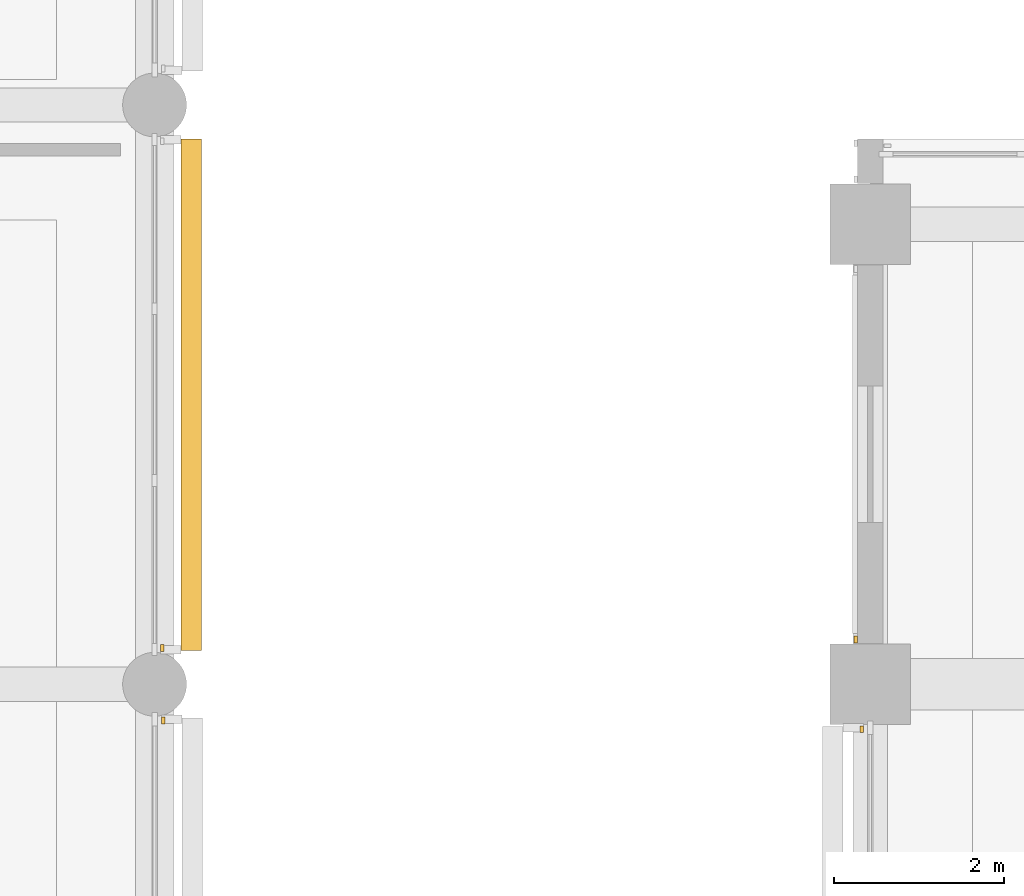
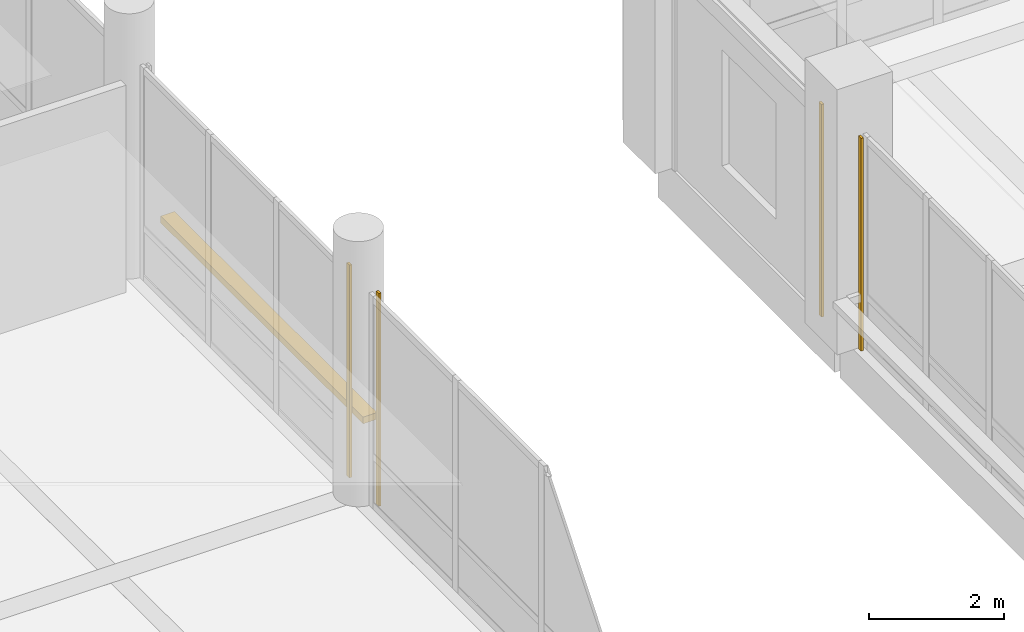
# One storey, part 104 of 122: 4 coverings, 1 shading device.
"""IFC4 building model written with IfcOpenShell, lengths in metres."""

from ifc_helpers import new_model, si_unit, direction, frame, origin, origin_2d, place, context, subcontext, project, spatial, rectangle, extrude, material, layer, layer_set, type_object, element, save


model = new_model("IFC4")

# Units and contexts
model_context = context("Model", 3, precision=1e-05, world=origin(), true_north=direction((0.0, 1.0)))
body_context = subcontext(model_context, "Body", "Model", "MODEL_VIEW")
ifc_project = project(units=[si_unit("LENGTHUNIT", "METRE"), si_unit("AREAUNIT", "SQUARE_METRE"), si_unit("VOLUMEUNIT", "CUBIC_METRE"), si_unit("PLANEANGLEUNIT", "RADIAN"), si_unit("MASSUNIT", "GRAM", prefix="KILO")], contexts=[model_context])

# Site, building, storey
site_placement = place(None, origin())
site = spatial("IfcSite", under=ifc_project, at=site_placement, CompositionType="ELEMENT")
building_placement = place(site_placement, origin())
building = spatial("IfcBuilding", under=site, at=building_placement, Name="Telukmera Botanical Conservatory", CompositionType="ELEMENT")
storey_placement = place(building_placement, frame((0.0, 0.0, 10.199951171875)))
storey = spatial("IfcBuildingStorey", under=building, at=storey_placement, Name="L02", CompositionType="ELEMENT", Elevation=10.199951171875)

# Coverings
ifc_material_1 = material(Name="Granite-faced precast concrete C40/50", Category="masonry")
ifc_layer_1 = layer(ifc_material_1, 0.0400390625)
ifc_layer_set_1 = layer_set([ifc_layer_1], Name="Granite-faced precast concrete C40/50")
covering_type = type_object("IfcCoveringType", Name="Granite Precast Column Pier Reveal Casing", PredefinedType="CLADDING", material=ifc_layer_set_1)
for number, where, z_axis, x_axis, name in (
    (1, (42.10009765625, 42.373046875, 0.0), (0.0, 0.0, 1.0), (0.0, 1.0, 0.0), "Granite Pier Reveal V3:L02:E3 R"),
    (2, (42.090087890625, 43.22705078125, 0.0), (0.0, 0.0, 1.0), (0.0, 1.0, 0.0), "Granite Pier Reveal V3:L02:E4 L"),
    (3, (50.300048828125, 42.27294921875, 0.0), (0.0, 0.0, 1.0), (0.0, 1.0, 0.0), "Granite Pier Reveal V4:L02:W4 R"),
    (4, (50.22998046875, 43.326904296875, 0.0), (0.0, 0.0, 1.0), (0.0, 1.0, 0.0), "Granite Pier Reveal V4:L02:W5 L"),
):
    element("IfcCovering", number, at=place(storey_placement, frame(where, z_axis=z_axis, x_axis=x_axis)), inside=storey, type_object=covering_type, Name=name, PredefinedType="CLADDING", context=body_context, shape_type="SweptSolid", body=[
        extrude(rectangle(XDim=0.080078125, YDim=0.0400390625, at=origin_2d()), origin(), (0.0, 0.0, 1.0), 3.85009765625),
    ])

# Shading device
ifc_material_2 = material(Name="Perforated terracotta-anodised aluminium 6063-T6", Category="masonry")
ifc_layer_2 = layer(ifc_material_2, 0.044921875)
ifc_layer_set_2 = layer_set([ifc_layer_2], Name="Perforated terracotta-anodised aluminium 6063-T6")
shading_device_type = type_object("IfcShadingDeviceType", Name="Perforated Terracotta Aluminium Monsoon Brise Soleil", PredefinedType="JALOUSIE", material=ifc_layer_set_2)
shading_device_placement = place(storey_placement, frame((42.429931640625, 46.199951171875, 0.889892578125), z_axis=(0.0, 0.0, 1.0), x_axis=(0.0, 1.0, 0.0)))
element("IfcShadingDevice", 5, at=shading_device_placement, inside=storey, type_object=shading_device_type, Name="Monsoon Shading BS01 V3:L02:E4", PredefinedType="JALOUSIE", context=body_context, shape_type="SweptSolid", body=[
    extrude(rectangle(XDim=6.006103515625, YDim=0.239990234375, at=origin_2d()), origin(), (0.0, 0.0, 1.0), 0.1201171875),
])

save(model, "model.ifc")
